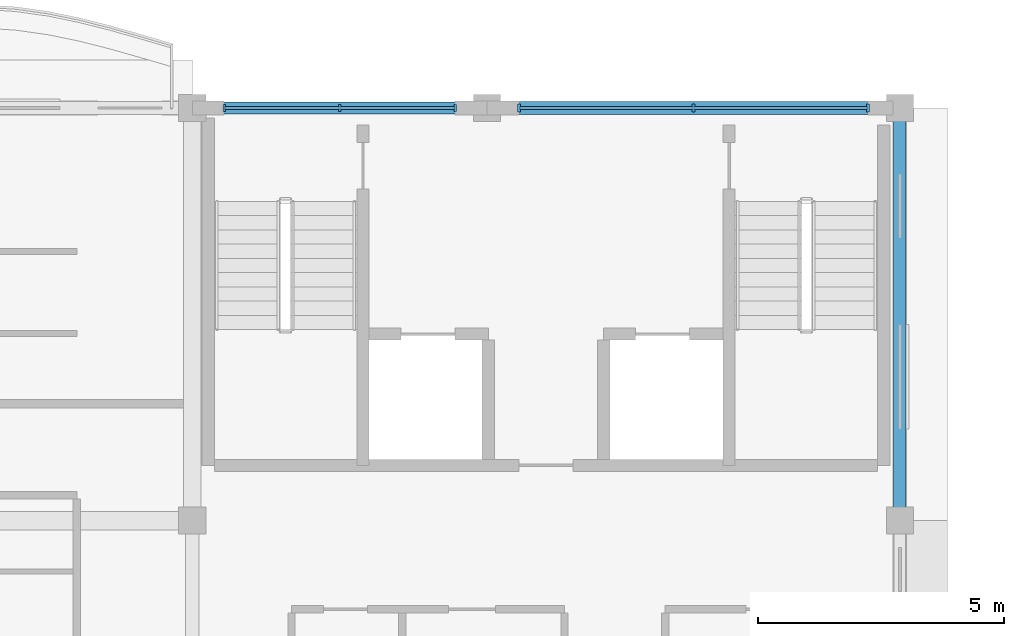
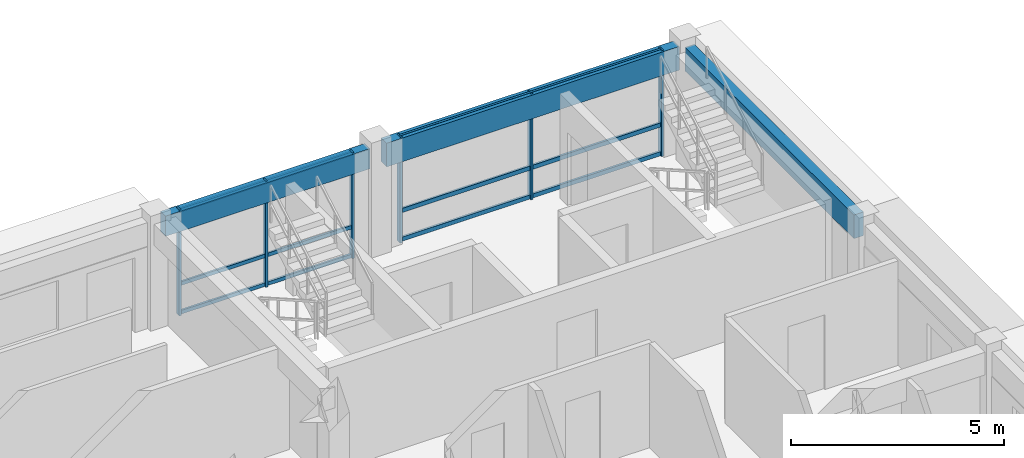
# One storey, part 9 of 59: 12 members, 3 beams, 2 elements without a shape of their own.
"""IFC4 building model written with IfcOpenShell, lengths in metres."""

from ifc_helpers import new_model, si_unit, direction, frame, origin, origin_2d, place, context, subcontext, project, spatial, rectangle, extrude, material, material_profile, profile_set, type_object, element, aggregate, save


model = new_model("IFC4")

# Units and contexts
model_context = context("Model", 3, precision=1e-05, world=origin(), true_north=direction((0.0, 1.0)))
body_context = subcontext(model_context, "Body", "Model", "MODEL_VIEW")
ifc_project = project(units=[si_unit("LENGTHUNIT", "METRE"), si_unit("AREAUNIT", "SQUARE_METRE"), si_unit("VOLUMEUNIT", "CUBIC_METRE"), si_unit("PLANEANGLEUNIT", "RADIAN"), si_unit("MASSUNIT", "GRAM", prefix="KILO"), si_unit("THERMODYNAMICTEMPERATUREUNIT", "KELVIN")], contexts=[model_context])

# Site, building, storey
site_placement = place(None, origin())
site = spatial("IfcSite", under=ifc_project, at=site_placement, CompositionType="ELEMENT")
building_placement = place(site_placement, origin())
building = spatial("IfcBuilding", under=site, at=building_placement, Name="Thalorik Housing Commons", CompositionType="ELEMENT")
storey_placement = place(building_placement, frame((0.0, 0.0, 27.89990234375)))
storey = spatial("IfcBuildingStorey", under=building, at=storey_placement, Name="L08", CompositionType="ELEMENT", Elevation=27.89990234375)

# Curtain wall, members
ifc_material_1 = material(Name="Anodised aluminium and solar-control low-E glass", Category="aluminium")
curtain_wall_type = type_object("IfcCurtainWallType", Name="ARC-CW-CORE", PredefinedType="USERDEFINED", material=ifc_material_1)
curtain_wall_1_placement = place(storey_placement, origin())
curtain_wall_1 = element("IfcCurtainWall", 1, at=curtain_wall_1_placement, inside=storey, type_object=curtain_wall_type, Name="L08 Curtain Wall CW-CORE-L08-B-108", ObjectType="CURTAIN WALL", PredefinedType="USERDEFINED")
ifc_material_2 = material(Name="Anodised aluminium 6063-T6", Category="aluminium")
ifc_material_profile_1 = material_profile(ifc_material_2, rectangle(XDim=0.054931640625, YDim=0.139892578125, at=origin_2d()), Name="ALU MUL 55x140", Category="aluminium")
ifc_profile_set_1 = profile_set([ifc_material_profile_1], Name="Anodised aluminium 6063-T6")
member_type_1 = type_object("IfcMemberType", Name="ARC-CW-MUL-55x140", PredefinedType="MULLION", material=ifc_profile_set_1)
member_1_placement = place(storey_placement, frame((157.75, 123.60009765625, 0.0), z_axis=(0.0, 0.0, 1.0), x_axis=(-1.0, 0.0, 0.0)))
member_1 = element("IfcMember", 2, at=member_1_placement, type_object=member_type_1, Name="CW-CORE-L08-B-108 Mullion 1", PredefinedType="MULLION", context=body_context, shape_type="SweptSolid", body=[
    extrude(rectangle(XDim=0.054931640625, YDim=0.139892578125, at=origin_2d()), origin(), (0.0, 0.0, 1.0), 3.0400390625),
])
member_2_placement = place(storey_placement, frame((155.39990234375, 123.60009765625, 0.0), z_axis=(0.0, 0.0, 1.0), x_axis=(-1.0, 0.0, 0.0)))
member_2 = element("IfcMember", 3, at=member_2_placement, type_object=member_type_1, Name="CW-CORE-L08-B-108 Mullion 2", PredefinedType="MULLION", context=body_context, shape_type="SweptSolid", body=[
    extrude(rectangle(XDim=0.054931640625, YDim=0.139892578125, at=origin_2d()), origin(), (0.0, 0.0, 1.0), 3.0400390625),
])
member_3_placement = place(storey_placement, frame((153.050048828125, 123.60009765625, 0.0), z_axis=(0.0, 0.0, 1.0), x_axis=(-1.0, 0.0, 0.0)))
member_3 = element("IfcMember", 4, at=member_3_placement, type_object=member_type_1, Name="CW-CORE-L08-B-108 Mullion 3", PredefinedType="MULLION", context=body_context, shape_type="SweptSolid", body=[
    extrude(rectangle(XDim=0.054931640625, YDim=0.139892578125, at=origin_2d()), origin(), (0.0, 0.0, 1.0), 3.0400390625),
])

curtain_wall_2_placement = place(storey_placement, origin())
curtain_wall_2 = element("IfcCurtainWall", 5, at=curtain_wall_2_placement, inside=storey, type_object=curtain_wall_type, Name="L08 Curtain Wall CW-CORE-L08-B-107", ObjectType="CURTAIN WALL", PredefinedType="USERDEFINED")
ifc_material_profile_2 = material_profile(ifc_material_2, rectangle(XDim=0.06005859375, YDim=0.159912109375, at=origin_2d()), Name="ALU MUL 60x160", Category="aluminium")
ifc_profile_set_2 = profile_set([ifc_material_profile_2], Name="Anodised aluminium 6063-T6")
member_type_2 = type_object("IfcMemberType", Name="ARC-CW-MUL-60x160", PredefinedType="MULLION", material=ifc_profile_set_2)
member_4_placement = place(storey_placement, frame((166.14990234375, 123.60009765625, 0.0), z_axis=(0.0, 0.0, 1.0), x_axis=(-1.0, 0.0, 0.0)))
member_4 = element("IfcMember", 6, at=member_4_placement, type_object=member_type_2, Name="CW-CORE-L08-B-107 Mullion 1", PredefinedType="MULLION", context=body_context, shape_type="SweptSolid", body=[
    extrude(rectangle(XDim=0.06005859375, YDim=0.159912109375, at=origin_2d()), origin(), (0.0, 0.0, 1.0), 3.0400390625),
])
member_5_placement = place(storey_placement, frame((162.60009765625, 123.60009765625, 0.0), z_axis=(0.0, 0.0, 1.0), x_axis=(-1.0, 0.0, 0.0)))
member_5 = element("IfcMember", 7, at=member_5_placement, type_object=member_type_2, Name="CW-CORE-L08-B-107 Mullion 2", PredefinedType="MULLION", context=body_context, shape_type="SweptSolid", body=[
    extrude(rectangle(XDim=0.06005859375, YDim=0.159912109375, at=origin_2d()), origin(), (0.0, 0.0, 1.0), 3.0400390625),
])
member_6_placement = place(storey_placement, frame((159.050048828125, 123.60009765625, 0.0), z_axis=(0.0, 0.0, 1.0), x_axis=(-1.0, 0.0, 0.0)))
member_6 = element("IfcMember", 8, at=member_6_placement, type_object=member_type_2, Name="CW-CORE-L08-B-107 Mullion 3", PredefinedType="MULLION", context=body_context, shape_type="SweptSolid", body=[
    extrude(rectangle(XDim=0.06005859375, YDim=0.159912109375, at=origin_2d()), origin(), (0.0, 0.0, 1.0), 3.0400390625),
])

# Member
ifc_material_profile_3 = material_profile(ifc_material_2, rectangle(XDim=0.054931640625, YDim=0.10498046875, at=origin_2d()), Name="ALU TRN 55x105", Category="aluminium")
ifc_profile_set_3 = profile_set([ifc_material_profile_3], Name="Anodised aluminium 6063-T6")
member_type_3 = type_object("IfcMemberType", Name="ARC-CW-TRN-55x105", PredefinedType="USERDEFINED", material=ifc_profile_set_3)
member_7_placement = place(storey_placement, frame((157.75, 123.60009765625, 0.05517578125), z_axis=(-1.0, 0.0, 0.0), x_axis=(0.0, -1.0, 0.0)))
member_7 = element("IfcMember", 9, at=member_7_placement, type_object=member_type_3, Name="CW-CORE-L08-B-108 Transom 1", ObjectType="TRANSOM", PredefinedType="USERDEFINED", context=body_context, shape_type="SweptSolid", body=[
    extrude(rectangle(XDim=0.054931640625, YDim=0.10498046875, at=origin_2d()), origin(), (0.0, 0.0, 1.0), 4.699951171875),
])

member_8_placement = place(storey_placement, frame((157.75, 123.60009765625, 0.880126953125), z_axis=(-1.0, 0.0, 0.0), x_axis=(0.0, -1.0, 0.0)))
member_8 = element("IfcMember", 10, at=member_8_placement, type_object=member_type_3, Name="CW-CORE-L08-B-108 Transom 2", ObjectType="TRANSOM", PredefinedType="USERDEFINED", context=body_context, shape_type="SweptSolid", body=[
    extrude(rectangle(XDim=0.054931640625, YDim=0.10498046875, at=origin_2d()), origin(), (0.0, 0.0, 1.0), 4.699951171875),
])

member_9_placement = place(storey_placement, frame((157.75, 123.60009765625, 2.985107421875), z_axis=(-1.0, 0.0, 0.0), x_axis=(0.0, -1.0, 0.0)))
member_9 = element("IfcMember", 11, at=member_9_placement, type_object=member_type_3, Name="CW-CORE-L08-B-108 Transom 3", ObjectType="TRANSOM", PredefinedType="USERDEFINED", context=body_context, shape_type="SweptSolid", body=[
    extrude(rectangle(XDim=0.054931640625, YDim=0.10498046875, at=origin_2d()), origin(), (0.0, 0.0, 1.0), 4.699951171875),
])

aggregate(curtain_wall_1, [member_1, member_2, member_3, member_7, member_8, member_9])

ifc_material_profile_4 = material_profile(ifc_material_2, rectangle(XDim=0.06005859375, YDim=0.1201171875, at=origin_2d()), Name="ALU TRN 60x120", Category="aluminium")
ifc_profile_set_4 = profile_set([ifc_material_profile_4], Name="Anodised aluminium 6063-T6")
member_type_4 = type_object("IfcMemberType", Name="ARC-CW-TRN-60x120", PredefinedType="USERDEFINED", material=ifc_profile_set_4)
member_10_placement = place(storey_placement, frame((166.14990234375, 123.60009765625, 0.05517578125), z_axis=(-1.0, 0.0, 0.0), x_axis=(0.0, -1.0, 0.0)))
member_10 = element("IfcMember", 12, at=member_10_placement, type_object=member_type_4, Name="CW-CORE-L08-B-107 Transom 1", ObjectType="TRANSOM", PredefinedType="USERDEFINED", context=body_context, shape_type="SweptSolid", body=[
    extrude(rectangle(XDim=0.06005859375, YDim=0.1201171875, at=origin_2d()), origin(), (0.0, 0.0, 1.0), 7.099853515625),
])

member_11_placement = place(storey_placement, frame((166.14990234375, 123.60009765625, 0.880126953125), z_axis=(-1.0, 0.0, 0.0), x_axis=(0.0, -1.0, 0.0)))
member_11 = element("IfcMember", 13, at=member_11_placement, type_object=member_type_4, Name="CW-CORE-L08-B-107 Transom 2", ObjectType="TRANSOM", PredefinedType="USERDEFINED", context=body_context, shape_type="SweptSolid", body=[
    extrude(rectangle(XDim=0.06005859375, YDim=0.1201171875, at=origin_2d()), origin(), (0.0, 0.0, 1.0), 7.099853515625),
])

member_12_placement = place(storey_placement, frame((166.14990234375, 123.60009765625, 2.985107421875), z_axis=(-1.0, 0.0, 0.0), x_axis=(0.0, -1.0, 0.0)))
member_12 = element("IfcMember", 14, at=member_12_placement, type_object=member_type_4, Name="CW-CORE-L08-B-107 Transom 3", ObjectType="TRANSOM", PredefinedType="USERDEFINED", context=body_context, shape_type="SweptSolid", body=[
    extrude(rectangle(XDim=0.06005859375, YDim=0.1201171875, at=origin_2d()), origin(), (0.0, 0.0, 1.0), 7.099853515625),
])

aggregate(curtain_wall_2, [member_4, member_5, member_6, member_10, member_11, member_12])

# Beams
ifc_material_3 = material(Name="Precast concrete C40/50", Category="concrete")
ifc_material_profile_5 = material_profile(ifc_material_3, rectangle(XDim=0.239990234375, YDim=0.580078125, at=origin_2d()), Name="PC SP 240x580", Category="concrete")
ifc_profile_set_5 = profile_set([ifc_material_profile_5], Name="Precast concrete C40/50")
beam_type_1 = type_object("IfcBeamType", Name="STR-SP-PC240x580", PredefinedType="SPANDREL", material=ifc_profile_set_5)
beam_placement = place(storey_placement, frame((152.625, 123.60009765625, 2.75), z_axis=(1.0, 0.0, 0.0), x_axis=(0.0, 1.0, 0.0)))
element("IfcBeam", 15, at=beam_placement, inside=storey, type_object=beam_type_1, Name="L08 Beam B-550", PredefinedType="SPANDREL", context=body_context, shape_type="SweptSolid", body=[
    extrude(rectangle(XDim=0.239990234375, YDim=0.580078125, at=origin_2d()), origin(), (0.0, 0.0, 1.0), 5.550048828125),
])
ifc_material_profile_6 = material_profile(ifc_material_3, rectangle(XDim=0.260009765625, YDim=0.679931640625, at=origin_2d()), Name="PC SP 260x680", Category="concrete")
ifc_profile_set_6 = profile_set([ifc_material_profile_6], Name="Precast concrete C40/50")
beam_type_2 = type_object("IfcBeamType", Name="STR-SP-PC260x680", PredefinedType="SPANDREL", material=ifc_profile_set_6)
for number, where, z_axis, x_axis, name in (
    (16, (158.625, 123.60009765625, 2.7001953125), (1.0, 0.0, 0.0), (0.0, 1.0, 0.0), "L08 Beam B-650"),
    (17, (166.800048828125, 115.425048828125, 2.7001953125), (0.0, 1.0, 0.0), (-1.0, 0.0, 0.0), "L08 Beam B-600"),
):
    element("IfcBeam", number, at=place(storey_placement, frame(where, z_axis=z_axis, x_axis=x_axis)), inside=storey, type_object=beam_type_2, Name=name, PredefinedType="SPANDREL", context=body_context, shape_type="SweptSolid", body=[
        extrude(rectangle(XDim=0.260009765625, YDim=0.679931640625, at=origin_2d()), origin(), (0.0, 0.0, 1.0), 7.949951171875),
    ])

save(model, "model.ifc")
